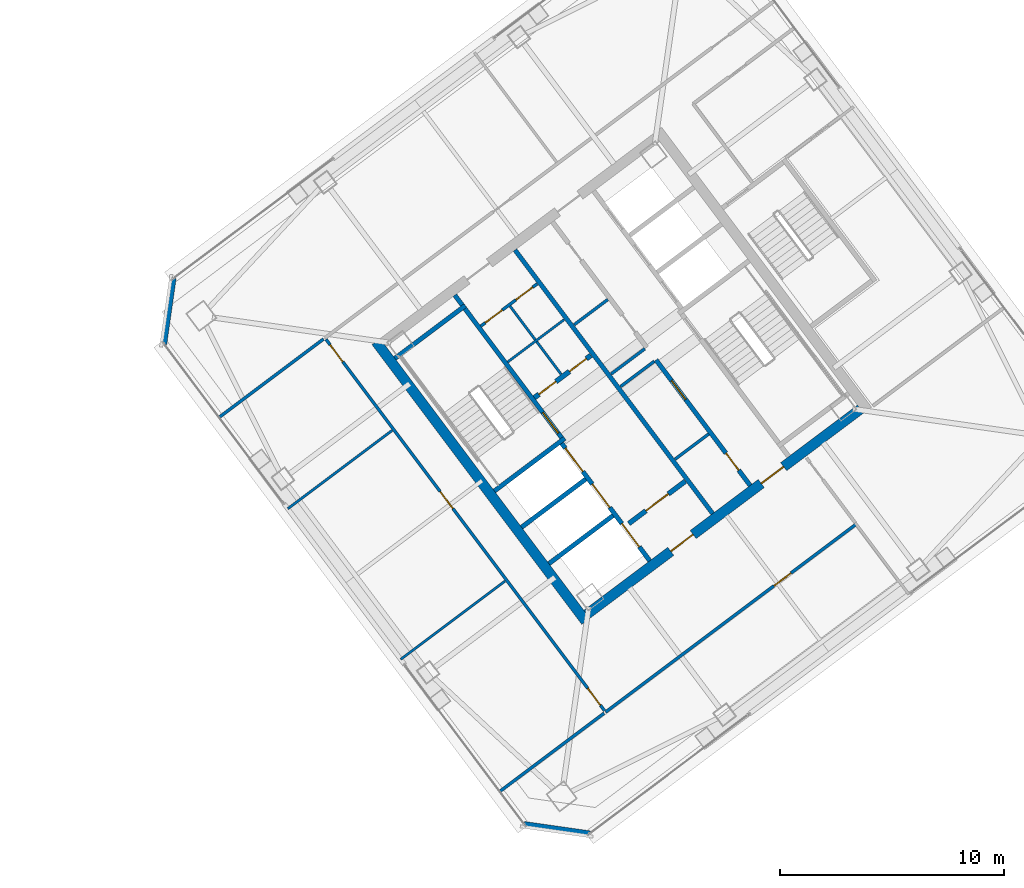
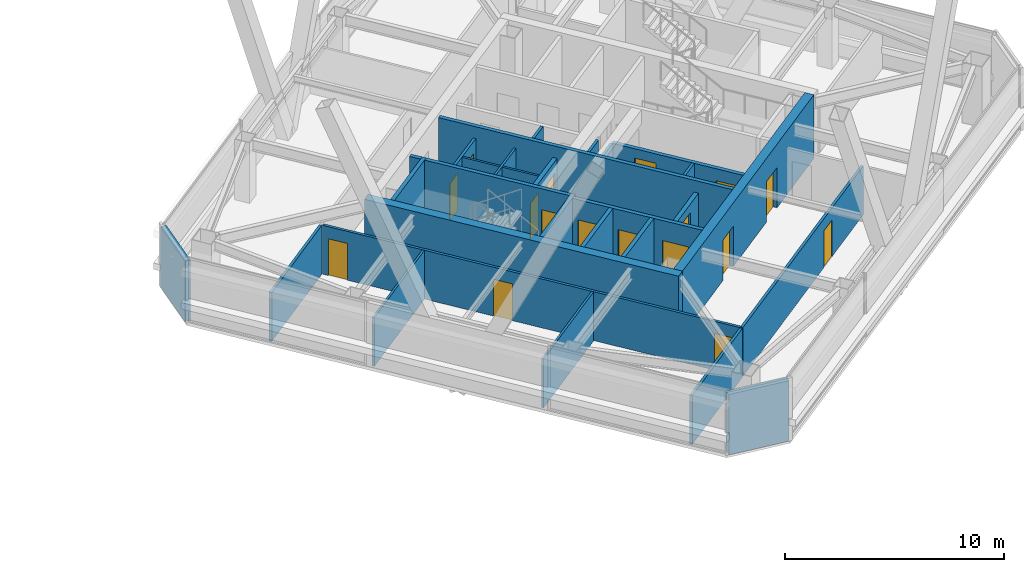
# One storey, part 39 of 47: 27 walls, 17 doors, 17 openings.
"""IFC4 building model written with IfcOpenShell, lengths in metres."""

from ifc_helpers import new_model, si_unit, direction, frame, frame_2d, origin, place, context, subcontext, project, spatial, rectangle, extrude, material, layer, layer_set, type_object, element, fill, save


model = new_model("IFC4")

# Units and contexts
model_context = context("Model", 3, precision=1e-05, world=origin(), true_north=direction((0.0, 1.0)))
body_context = subcontext(model_context, "Body", "Model", "MODEL_VIEW")
ifc_project = project(units=[si_unit("LENGTHUNIT", "METRE"), si_unit("AREAUNIT", "SQUARE_METRE"), si_unit("VOLUMEUNIT", "CUBIC_METRE"), si_unit("PLANEANGLEUNIT", "RADIAN"), si_unit("MASSUNIT", "GRAM", prefix="KILO")], contexts=[model_context])

# Site, building, storey
site_placement = place(None, origin())
site = spatial("IfcSite", under=ifc_project, at=site_placement, CompositionType="ELEMENT")
building_placement = place(site_placement, origin())
building = spatial("IfcBuilding", under=site, at=building_placement, Name="Tashvorn Skyway Center", CompositionType="ELEMENT")
storey_placement = place(building_placement, frame((0.0, 0.0, 204.199951171875)))
storey = spatial("IfcBuildingStorey", under=building, at=storey_placement, Name="L55", CompositionType="ELEMENT", Elevation=204.199951171875)

# Wall
ifc_material_1 = material(Name="Concrete C50/60", Category="concrete")
ifc_layer_1 = layer(ifc_material_1, 0.449951171875)
ifc_layer_set_1 = layer_set([ifc_layer_1], Name="Concrete C50/60")
wall_type_1 = type_object("IfcWallType", Name="WALL-CORE-450", PredefinedType="SHEAR", material=ifc_layer_set_1)
wall_1_placement = place(storey_placement, frame((112.39599609375, 21.047119140625, 0.0), z_axis=(0.0, 0.0, 1.0), x_axis=(-0.600005007985, 0.799996243986, 0.0)))
element("IfcWall", 1, at=wall_1_placement, inside=storey, type_object=wall_type_1, Name="Tower 2 L55 West Core Shear Wall", PredefinedType="SHEAR", context=body_context, shape_type="SweptSolid", body=[
    extrude(rectangle(XDim=15.60009765625, YDim=0.449951171875, at=frame_2d((7.800048828125, 0.0))), origin(), (0.0, 0.0, 1.0), 3.550048828125),
])

# Wall, openings, doors
wall_2_placement = place(storey_placement, frame((124.64892578125, 30.51806640625, 0.0), z_axis=(0.0, 0.0, 1.0), x_axis=(-0.8, -0.6, 0.0)))
wall_2 = element("IfcWall", 2, at=wall_2_placement, inside=storey, type_object=wall_type_1, Name="Tower 2 L55 South Core Shear Wall", PredefinedType="SHEAR", context=body_context, shape_type="SweptSolid", body=[
    extrude(rectangle(XDim=15.260009765625, YDim=0.449951171875, at=frame_2d((7.6298828125, 0.0))), origin(), (0.0, 0.0, 1.0), 3.550048828125),
])
opening_1_placement = place(wall_2_placement, frame((9.330078125, 0.0, 0.0)))
opening_1 = element("IfcOpeningElement", 3, at=opening_1_placement, cuts=wall_2, Name="Opening D-FFL-1250", PredefinedType="OPENING", context=body_context, shape_type="SweptSolid", body=[
    extrude(rectangle(XDim=1.25, YDim=2.25, at=frame_2d((0.625, 1.125))), frame((0.0, 0.23486328125, 0.0), z_axis=(0.0, -1.0, 0.0), x_axis=(1.0, 0.0, 0.0)), (0.0, 0.0, 1.0), 0.469970703125),
])
opening_2_placement = place(wall_2_placement, frame((4.280029296875, 0.0, 0.0)))
opening_2 = element("IfcOpeningElement", 4, at=opening_2_placement, cuts=wall_2, Name="Opening D-FFL-1250", PredefinedType="OPENING", context=body_context, shape_type="SweptSolid", body=[
    extrude(rectangle(XDim=1.25, YDim=2.25, at=frame_2d((0.625, 1.125))), frame((0.0, 0.23486328125, 0.0), z_axis=(0.0, -1.0, 0.0), x_axis=(1.0, 0.0, 0.0)), (0.0, 0.0, 1.0), 0.469970703125),
])
ifc_material_2 = material(Name="Hollow galvanized steel fire door assembly", Category="steel")
door_type_1 = type_object("IfcDoorType", Name="DOOR-FFL-1250", OperationType="NOTDEFINED", PredefinedType="DOOR", material=ifc_material_2)
door_1_placement = place(opening_1_placement, origin())
door_1 = element("IfcDoor", 5, at=door_1_placement, inside=storey, type_object=door_type_1, Name="Tower 2 L55 Core South Firefighting Exit Door", OperationType="SINGLE_SWING_LEFT", OverallHeight=2.25, OverallWidth=1.25, PredefinedType="DOOR", context=body_context, shape_type="SweptSolid", body=[
    extrude(rectangle(XDim=1.25, YDim=2.25, at=frame_2d((0.625, 1.125))), frame((0.0, 0.02490234375, 0.0), z_axis=(0.0, -1.0, 0.0), x_axis=(1.0, 0.0, 0.0)), (0.0, 0.0, 1.0), 0.050048828125),
])
fill(opening_1, door_1)
door_2_placement = place(opening_2_placement, origin())
door_2 = element("IfcDoor", 6, at=door_2_placement, inside=storey, type_object=door_type_1, Name="Tower 2 L55 Core South Lift Lobby Door", OperationType="SINGLE_SWING_RIGHT", OverallHeight=2.25, OverallWidth=1.25, PredefinedType="DOOR", context=body_context, shape_type="SweptSolid", body=[
    extrude(rectangle(XDim=1.25, YDim=2.25, at=frame_2d((0.625, 1.125))), frame((0.0, 0.02490234375, 0.0), z_axis=(0.0, -1.0, 0.0), x_axis=(1.0, 0.0, 0.0)), (0.0, 0.0, 1.0), 0.050048828125),
])
fill(opening_2, door_2)

# Walls
ifc_material_3 = material(Name="Precast concrete C40/50", Category="concrete")
ifc_layer_2 = layer(ifc_material_3, 0.280029296875)
ifc_layer_set_2 = layer_set([ifc_layer_2], Name="Precast concrete C40/50")
wall_type_2 = type_object("IfcWallType", Name="WALL-EXT-280", PredefinedType="SOLIDWALL", material=ifc_layer_set_2)
for number, where, z_axis, x_axis, name in (
    (7, (112.580078125, 11.56005859375, 0.0), (0.0, 0.0, 1.0), (-0.989954425158, 0.14138683146, 0.0), "Tower 2 L55 SW Precast Chamfer Wall"),
    (8, (93.56005859375, 33.419921875, 0.0), (0.0, 0.0, 1.0), (0.14138683146, 0.989954425158, 0.0), "Tower 2 L55 NW Precast Chamfer Wall"),
):
    element("IfcWall", number, at=place(storey_placement, frame(where, z_axis=z_axis, x_axis=x_axis)), inside=storey, type_object=wall_type_2, Name=name, PredefinedType="SOLIDWALL", context=body_context, shape_type="SweptSolid", body=[
        extrude(rectangle(XDim=2.969970703125, YDim=0.280029296875, at=frame_2d((1.48486328125, 0.0))), origin(), (0.0, 0.0, 1.0), 3.3701171875),
    ])

# Wall, openings, doors
ifc_material_4 = material(Name="Concrete C40/50", Category="concrete")
ifc_layer_3 = layer(ifc_material_4, 0.219970703125)
ifc_layer_set_3 = layer_set([ifc_layer_3], Name="Concrete C40/50")
wall_type_3 = type_object("IfcWallType", Name="WALL-FFL-220", PredefinedType="SOLIDWALL", material=ifc_layer_set_3)
wall_3_placement = place(storey_placement, frame((110.10400390625, 31.028076171875, 0.0), z_axis=(0.0, 0.0, 1.0), x_axis=(0.800018601094, 0.59997519774, 0.0)))
wall_3 = element("IfcWall", 9, at=wall_3_placement, inside=storey, type_object=wall_type_3, Name="Tower 2 L55 Firefighting Lobby North Wall", PredefinedType="SOLIDWALL", context=body_context, shape_type="SweptSolid", body=[
    extrude(rectangle(XDim=3.14990234375, YDim=0.219970703125, at=frame_2d((1.574951171875, 0.0))), origin(), (0.0, 0.0, 1.0), 2.72314453125),
])
opening_3_placement = place(wall_3_placement, frame((0.25, 0.0, 0.0)))
opening_3 = element("IfcOpeningElement", 10, at=opening_3_placement, cuts=wall_3, Name="Opening D-RT-950", PredefinedType="OPENING", context=body_context, shape_type="SweptSolid", body=[
    extrude(rectangle(XDim=0.949951171875, YDim=2.050048828125, at=frame_2d((0.47509765625, 1.02490234375))), frame((0.0, 0.119873046875, 0.0), z_axis=(0.0, -1.0, 0.0), x_axis=(1.0, 0.0, 0.0)), (0.0, 0.0, 1.0), 0.239990234375),
])
opening_4_placement = place(wall_3_placement, frame((1.949951171875, 0.0, 0.0)))
opening_4 = element("IfcOpeningElement", 11, at=opening_4_placement, cuts=wall_3, Name="Opening D-RT-950", PredefinedType="OPENING", context=body_context, shape_type="SweptSolid", body=[
    extrude(rectangle(XDim=0.949951171875, YDim=2.050048828125, at=frame_2d((0.47509765625, 1.02490234375))), frame((0.0, 0.119873046875, 0.0), z_axis=(0.0, -1.0, 0.0), x_axis=(1.0, 0.0, 0.0)), (0.0, 0.0, 1.0), 0.239990234375),
])
door_type_2 = type_object("IfcDoorType", Name="DOOR-RATED-950", OperationType="NOTDEFINED", PredefinedType="DOOR", material=ifc_material_2)
door_3_placement = place(opening_3_placement, origin())
door_3 = element("IfcDoor", 12, at=door_3_placement, inside=storey, type_object=door_type_2, Name="Tower 2 L55 Core Mail Room Door", OperationType="SINGLE_SWING_LEFT", OverallHeight=2.050048828125, OverallWidth=0.949951171875, PredefinedType="DOOR", context=body_context, shape_type="SweptSolid", body=[
    extrude(rectangle(XDim=0.949951171875, YDim=2.050048828125, at=frame_2d((0.47509765625, 1.02490234375))), frame((0.0, 0.02490234375, 0.0), z_axis=(0.0, -1.0, 0.0), x_axis=(1.0, 0.0, 0.0)), (0.0, 0.0, 1.0), 0.050048828125),
])
fill(opening_3, door_3)
door_4_placement = place(opening_4_placement, origin())
door_4 = element("IfcDoor", 13, at=door_4_placement, inside=storey, type_object=door_type_2, Name="Tower 2 L55 Core Supply Closet Door", OperationType="SINGLE_SWING_RIGHT", OverallHeight=2.050048828125, OverallWidth=0.949951171875, PredefinedType="DOOR", context=body_context, shape_type="SweptSolid", body=[
    extrude(rectangle(XDim=0.949951171875, YDim=2.050048828125, at=frame_2d((0.47509765625, 1.02490234375))), frame((0.0, 0.02490234375, 0.0), z_axis=(0.0, -1.0, 0.0), x_axis=(1.0, 0.0, 0.0)), (0.0, 0.0, 1.0), 0.050048828125),
])
fill(opening_4, door_4)

# Wall, opening, door
wall_4_placement = place(storey_placement, frame((114.31591796875, 25.412109375, 0.0), z_axis=(0.0, 0.0, 1.0), x_axis=(0.800018601094, 0.59997519774, 0.0)))
wall_4 = element("IfcWall", 14, at=wall_4_placement, inside=storey, type_object=wall_type_3, Name="Tower 2 L55 Firefighting Lobby South Wall", PredefinedType="SOLIDWALL", context=body_context, shape_type="SweptSolid", body=[
    extrude(rectangle(XDim=3.14990234375, YDim=0.219970703125, at=frame_2d((1.574951171875, 0.0))), origin(), (0.0, 0.0, 1.0), 2.72314453125),
])
opening_5_placement = place(wall_4_placement, frame((0.949951171875, 0.0, 0.0)))
opening_5 = element("IfcOpeningElement", 15, at=opening_5_placement, cuts=wall_4, Name="Opening D-FFL-1250", PredefinedType="OPENING", context=body_context, shape_type="SweptSolid", body=[
    extrude(rectangle(XDim=1.25, YDim=2.25, at=frame_2d((0.625, 1.125))), frame((0.0, 0.119873046875, 0.0), z_axis=(0.0, -1.0, 0.0), x_axis=(1.0, 0.0, 0.0)), (0.0, 0.0, 1.0), 0.239990234375),
])
door_5_placement = place(opening_5_placement, origin())
door_5 = element("IfcDoor", 16, at=door_5_placement, inside=storey, type_object=door_type_1, Name="Tower 2 L55 Firefighting Lobby Egress Door", OperationType="SINGLE_SWING_LEFT", OverallHeight=2.25, OverallWidth=1.25, PredefinedType="DOOR", context=body_context, shape_type="SweptSolid", body=[
    extrude(rectangle(XDim=1.25, YDim=2.25, at=frame_2d((0.625, 1.125))), frame((0.0, 0.02490234375, 0.0), z_axis=(0.0, -1.0, 0.0), x_axis=(1.0, 0.0, 0.0)), (0.0, 0.0, 1.0), 0.050048828125),
])
fill(opening_5, door_5)

# Walls
ifc_material_5 = material(Name="Gypsum board on cold-formed steel stud framing", Category="steel")
ifc_layer_4 = layer(ifc_material_5, 0.110107421875)
ifc_layer_set_4 = layer_set([ifc_layer_4], Name="Gypsum board on cold-formed steel stud framing")
wall_type_4 = type_object("IfcWallType", Name="WALL-PART-110", PredefinedType="PARTITIONING", material=ifc_layer_set_4)
for number, where, z_axis, x_axis, name in (
    (17, (104.135986328125, 19.35205078125, 0.0), (0.0, 0.0, 1.0), (0.800005033825, 0.599993288175, 0.0), "Tower 2 L55 West Suite Partition 1"),
    (18, (99.095947265625, 26.072021484375, 0.0), (0.0, 0.0, 1.0), (0.800005033825, 0.599993288175, 0.0), "Tower 2 L55 West Suite Partition 2"),
):
    element("IfcWall", number, at=place(storey_placement, frame(where, z_axis=z_axis, x_axis=x_axis)), inside=storey, type_object=wall_type_4, Name=name, PredefinedType="PARTITIONING", context=body_context, shape_type="SweptSolid", body=[
        extrude(rectangle(XDim=5.820068359375, YDim=0.110107421875, at=frame_2d((2.91015625, 0.0))), origin(), (0.0, 0.0, 1.0), 2.72314453125),
    ])

# Wall, opening, door
ifc_layer_5 = layer(ifc_material_5, 0.135009765625)
ifc_layer_set_5 = layer_set([ifc_layer_5], Name="Gypsum board on cold-formed steel stud framing")
wall_type_5 = type_object("IfcWallType", Name="WALL-PART-135", PredefinedType="PARTITIONING", material=ifc_layer_set_5)
wall_5_placement = place(storey_placement, frame((124.4619140625, 25.384033203125, 0.0), z_axis=(0.0, 0.0, 1.0), x_axis=(-0.799997904343, -0.6000027942, 0.0)))
wall_5 = element("IfcWall", 19, at=wall_5_placement, inside=storey, type_object=wall_type_5, Name="Tower 2 L55 South Suite Wall", PredefinedType="PARTITIONING", context=body_context, shape_type="SweptSolid", body=[
    extrude(rectangle(XDim=13.979736328125, YDim=0.135009765625, at=frame_2d((6.98974609375, 0.0))), origin(), (0.0, 0.0, 1.0), 2.72314453125),
])
opening_6_placement = place(wall_5_placement, frame((3.63525390625, 0.0, 0.0)))
opening_6 = element("IfcOpeningElement", 20, at=opening_6_placement, cuts=wall_5, Name="Opening D-INT-950", PredefinedType="OPENING", context=body_context, shape_type="SweptSolid", body=[
    extrude(rectangle(XDim=0.949951171875, YDim=2.050048828125, at=frame_2d((0.47509765625, 1.02490234375))), frame((0.0, 0.077392578125, 0.0), z_axis=(0.0, -1.0, 0.0), x_axis=(1.0, 0.0, 0.0)), (0.0, 0.0, 1.0), 0.155029296875),
])
ifc_material_6 = material(Name="Solid-core architectural oak veneer door")
door_type_3 = type_object("IfcDoorType", Name="DOOR-INT-950", OperationType="NOTDEFINED", PredefinedType="DOOR", material=ifc_material_6)
door_6_placement = place(opening_6_placement, origin())
door_6 = element("IfcDoor", 21, at=door_6_placement, inside=storey, type_object=door_type_3, Name="Tower 2 L55 Wellness Clinic Door", OperationType="SINGLE_SWING_LEFT", OverallHeight=2.050048828125, OverallWidth=0.949951171875, PredefinedType="DOOR", context=body_context, shape_type="SweptSolid", body=[
    extrude(rectangle(XDim=0.949951171875, YDim=2.050048828125, at=frame_2d((0.47509765625, 1.02490234375))), frame((0.0, 0.02490234375, 0.0), z_axis=(0.0, -1.0, 0.0), x_axis=(1.0, 0.0, 0.0)), (0.0, 0.0, 1.0), 0.050048828125),
])
fill(opening_6, door_6)

# Wall, openings, doors
wall_6_placement = place(storey_placement, frame((113.22998046875, 17.06005859375, 0.0), z_axis=(0.0, 0.0, 1.0), x_axis=(-0.600003772342, 0.79999717073, 0.0)))
wall_6 = element("IfcWall", 22, at=wall_6_placement, inside=storey, type_object=wall_type_5, Name="Tower 2 L55 West Inner Suite Wall", PredefinedType="PARTITIONING", context=body_context, shape_type="SweptSolid", body=[
    extrude(rectangle(XDim=20.7099609375, YDim=0.135009765625, at=frame_2d((10.35498046875, 0.0))), origin(), (0.0, 0.0, 1.0), 2.72314453125),
])
opening_7_placement = place(wall_6_placement, frame((0.300048828125, 0.0, 0.0)))
opening_7 = element("IfcOpeningElement", 23, at=opening_7_placement, cuts=wall_6, Name="Opening D-INT-950", PredefinedType="OPENING", context=body_context, shape_type="SweptSolid", body=[
    extrude(rectangle(XDim=0.949951171875, YDim=2.050048828125, at=frame_2d((0.47509765625, 1.02490234375))), frame((0.0, 0.077392578125, 0.0), z_axis=(0.0, -1.0, 0.0), x_axis=(1.0, 0.0, 0.0)), (0.0, 0.0, 1.0), 0.155029296875),
])
opening_8_placement = place(wall_6_placement, frame((11.272216796875, 0.0, 0.0)))
opening_8 = element("IfcOpeningElement", 24, at=opening_8_placement, cuts=wall_6, Name="Opening D-INT-950", PredefinedType="OPENING", context=body_context, shape_type="SweptSolid", body=[
    extrude(rectangle(XDim=0.949951171875, YDim=2.050048828125, at=frame_2d((0.47509765625, 1.02490234375))), frame((0.0, 0.077392578125, 0.0), z_axis=(0.0, -1.0, 0.0), x_axis=(1.0, 0.0, 0.0)), (0.0, 0.0, 1.0), 0.155029296875),
])
opening_9_placement = place(wall_6_placement, frame((19.4599609375, 0.0, 0.0)))
opening_9 = element("IfcOpeningElement", 25, at=opening_9_placement, cuts=wall_6, Name="Opening D-INT-950", PredefinedType="OPENING", context=body_context, shape_type="SweptSolid", body=[
    extrude(rectangle(XDim=0.949951171875, YDim=2.050048828125, at=frame_2d((0.47509765625, 1.02490234375))), frame((0.0, 0.077392578125, 0.0), z_axis=(0.0, -1.0, 0.0), x_axis=(1.0, 0.0, 0.0)), (0.0, 0.0, 1.0), 0.155029296875),
])
door_7_placement = place(opening_7_placement, origin())
door_7 = element("IfcDoor", 26, at=door_7_placement, inside=storey, type_object=door_type_3, Name="Tower 2 L55 Public Restroom Door", OperationType="SINGLE_SWING_LEFT", OverallHeight=2.050048828125, OverallWidth=0.949951171875, PredefinedType="DOOR", context=body_context, shape_type="SweptSolid", body=[
    extrude(rectangle(XDim=0.949951171875, YDim=2.050048828125, at=frame_2d((0.47509765625, 1.02490234375))), frame((0.0, 0.02490234375, 0.0), z_axis=(0.0, -1.0, 0.0), x_axis=(1.0, 0.0, 0.0)), (0.0, 0.0, 1.0), 0.050048828125),
])
fill(opening_7, door_7)
door_8_placement = place(opening_8_placement, origin())
door_8 = element("IfcDoor", 27, at=door_8_placement, inside=storey, type_object=door_type_3, Name="Tower 2 L55 Wellness Clinic Door", OperationType="SINGLE_SWING_RIGHT", OverallHeight=2.050048828125, OverallWidth=0.949951171875, PredefinedType="DOOR", context=body_context, shape_type="SweptSolid", body=[
    extrude(rectangle(XDim=0.949951171875, YDim=2.050048828125, at=frame_2d((0.47509765625, 1.02490234375))), frame((0.0, 0.02490234375, 0.0), z_axis=(0.0, -1.0, 0.0), x_axis=(1.0, 0.0, 0.0)), (0.0, 0.0, 1.0), 0.050048828125),
])
fill(opening_8, door_8)
door_9_placement = place(opening_9_placement, origin())
door_9 = element("IfcDoor", 28, at=door_9_placement, inside=storey, type_object=door_type_3, Name="Tower 2 L55 Collaborative Studio Door", OperationType="SINGLE_SWING_LEFT", OverallHeight=2.050048828125, OverallWidth=0.949951171875, PredefinedType="DOOR", context=body_context, shape_type="SweptSolid", body=[
    extrude(rectangle(XDim=0.949951171875, YDim=2.050048828125, at=frame_2d((0.47509765625, 1.02490234375))), frame((0.0, 0.02490234375, 0.0), z_axis=(0.0, -1.0, 0.0), x_axis=(1.0, 0.0, 0.0)), (0.0, 0.0, 1.0), 0.050048828125),
])
fill(opening_9, door_9)

# Walls
for number, where, z_axis, x_axis, name in (
    (29, (100.69189453125, 33.64404296875, 0.0), (0.0, 0.0, 1.0), (-0.800005033825, -0.599993288175, 0.0), "Tower 2 L55 West Suite North Wall"),
    (30, (108.55810546875, 13.4560546875, 0.0), (0.0, 0.0, 1.0), (0.800005033825, 0.599993288175, 0.0), "Tower 2 L55 West Suite South Wall"),
):
    element("IfcWall", number, at=place(storey_placement, frame(where, z_axis=z_axis, x_axis=x_axis)), inside=storey, type_object=wall_type_5, Name=name, PredefinedType="PARTITIONING", context=body_context, shape_type="SweptSolid", body=[
        extrude(rectangle(XDim=5.820068359375, YDim=0.135009765625, at=frame_2d((2.91015625, 0.0))), origin(), (0.0, 0.0, 1.0), 2.72314453125),
    ])
ifc_layer_6 = layer(ifc_material_5, 0.110107421875)
ifc_layer_set_6 = layer_set([ifc_layer_6], Name="Gypsum board on cold-formed steel stud framing")
wall_type_6 = type_object("IfcWallType", Name="WALL-RATED-110", PredefinedType="PARTITIONING", material=ifc_layer_set_6)
wall_7_placement = place(storey_placement, frame((111.2958984375, 32.072021484375, 0.0), z_axis=(0.0, 0.0, 1.0), x_axis=(-0.59995887973, 0.800030838552, 0.0)))
element("IfcWall", 31, at=wall_7_placement, inside=storey, type_object=wall_type_6, Name="Tower 2 L55 Core Cross Vertical", PredefinedType="PARTITIONING", context=body_context, shape_type="SweptSolid", body=[
    extrude(rectangle(XDim=3.7998046875, YDim=0.110107421875, at=frame_2d((1.89990234375, 0.0))), origin(), (0.0, 0.0, 1.0), 2.72314453125),
])
wall_8_placement = place(storey_placement, frame((108.909912109375, 32.6201171875, 0.0), z_axis=(0.0, 0.0, 1.0), x_axis=(0.800018601094, 0.59997519774, 0.0)))
element("IfcWall", 32, at=wall_8_placement, inside=storey, type_object=wall_type_6, Name="Tower 2 L55 Core Cross Horizontal", PredefinedType="PARTITIONING", context=body_context, shape_type="SweptSolid", body=[
    extrude(rectangle(XDim=3.14990234375, YDim=0.110107421875, at=frame_2d((1.574951171875, 0.0))), origin(), (0.0, 0.0, 1.0), 2.72314453125),
])

# Wall, openings, doors
ifc_layer_7 = layer(ifc_material_5, 0.135009765625)
ifc_layer_set_7 = layer_set([ifc_layer_7], Name="Gypsum board on cold-formed steel stud framing")
wall_type_7 = type_object("IfcWallType", Name="WALL-RATED-135", PredefinedType="PARTITIONING", material=ifc_layer_set_7)
wall_9_placement = place(storey_placement, frame((107.7099609375, 34.219970703125, 0.0), z_axis=(0.0, 0.0, 1.0), x_axis=(0.799981399002, 0.60002480053, 0.0)))
wall_9 = element("IfcWall", 33, at=wall_9_placement, inside=storey, type_object=wall_type_7, Name="Tower 2 L55 Core Service Lobby Wall", PredefinedType="PARTITIONING", context=body_context, shape_type="SweptSolid", body=[
    extrude(rectangle(XDim=3.150146484375, YDim=0.135009765625, at=frame_2d((1.5751953125, 0.0))), origin(), (0.0, 0.0, 1.0), 2.72314453125),
])
opening_10_placement = place(wall_9_placement, frame((0.25, 0.0, 0.0)))
opening_10 = element("IfcOpeningElement", 34, at=opening_10_placement, cuts=wall_9, Name="Opening D-RT-950", PredefinedType="OPENING", context=body_context, shape_type="SweptSolid", body=[
    extrude(rectangle(XDim=0.949951171875, YDim=2.050048828125, at=frame_2d((0.47509765625, 1.02490234375))), frame((0.0, 0.077392578125, 0.0), z_axis=(0.0, -1.0, 0.0), x_axis=(1.0, 0.0, 0.0)), (0.0, 0.0, 1.0), 0.155029296875),
])
opening_11_placement = place(wall_9_placement, frame((1.949951171875, 0.0, 0.0)))
opening_11 = element("IfcOpeningElement", 35, at=opening_11_placement, cuts=wall_9, Name="Opening D-RT-950", PredefinedType="OPENING", context=body_context, shape_type="SweptSolid", body=[
    extrude(rectangle(XDim=0.949951171875, YDim=2.050048828125, at=frame_2d((0.47509765625, 1.02490234375))), frame((0.0, 0.077392578125, 0.0), z_axis=(0.0, -1.0, 0.0), x_axis=(1.0, 0.0, 0.0)), (0.0, 0.0, 1.0), 0.155029296875),
])
door_10_placement = place(opening_10_placement, origin())
door_10 = element("IfcDoor", 36, at=door_10_placement, inside=storey, type_object=door_type_2, Name="Tower 2 L55 Core Cleaner Store Door", OperationType="SINGLE_SWING_LEFT", OverallHeight=2.050048828125, OverallWidth=0.949951171875, PredefinedType="DOOR", context=body_context, shape_type="SweptSolid", body=[
    extrude(rectangle(XDim=0.949951171875, YDim=2.050048828125, at=frame_2d((0.47509765625, 1.02490234375))), frame((0.0, 0.02490234375, 0.0), z_axis=(0.0, -1.0, 0.0), x_axis=(1.0, 0.0, 0.0)), (0.0, 0.0, 1.0), 0.050048828125),
])
fill(opening_10, door_10)
door_11_placement = place(opening_11_placement, origin())
door_11 = element("IfcDoor", 37, at=door_11_placement, inside=storey, type_object=door_type_2, Name="Tower 2 L55 Core Accessible WC Door", OperationType="SINGLE_SWING_RIGHT", OverallHeight=2.050048828125, OverallWidth=0.949951171875, PredefinedType="DOOR", context=body_context, shape_type="SweptSolid", body=[
    extrude(rectangle(XDim=0.949951171875, YDim=2.050048828125, at=frame_2d((0.47509765625, 1.02490234375))), frame((0.0, 0.02490234375, 0.0), z_axis=(0.0, -1.0, 0.0), x_axis=(1.0, 0.0, 0.0)), (0.0, 0.0, 1.0), 0.050048828125),
])
fill(opening_11, door_11)

# Walls
for number, where, z_axis, x_axis, name in (
    (38, (113.946044921875, 31.52197265625, 0.0), (0.0, 0.0, 1.0), (0.8, 0.6, 0.0), "Tower 2 L55 Core Room Partition"),
    (39, (116.3759765625, 28.281982421875, 0.0), (0.0, 0.0, 1.0), (0.8, 0.6, 0.0), "Tower 2 L55 Freed Core Partition"),
):
    element("IfcWall", number, at=place(storey_placement, frame(where, z_axis=z_axis, x_axis=x_axis)), inside=storey, type_object=wall_type_7, Name=name, PredefinedType="PARTITIONING", context=body_context, shape_type="SweptSolid", body=[
        extrude(rectangle(XDim=1.8798828125, YDim=0.135009765625, at=frame_2d((0.93994140625, 0.0))), origin(), (0.0, 0.0, 1.0), 2.72314453125),
    ])
wall_10_placement = place(storey_placement, frame((113.52587890625, 32.08203125, 0.0), z_axis=(0.0, 0.0, 1.0), x_axis=(0.800046745961, 0.599937666993, 0.0)))
element("IfcWall", 40, at=wall_10_placement, inside=storey, type_object=wall_type_7, Name="Tower 2 L55 Core Room Partition", PredefinedType="PARTITIONING", context=body_context, shape_type="SweptSolid", body=[
    extrude(rectangle(XDim=1.880126953125, YDim=0.135009765625, at=frame_2d((0.93994140625, 0.0))), origin(), (0.0, 0.0, 1.0), 2.72314453125),
])
wall_11_placement = place(storey_placement, frame((111.8759765625, 34.281982421875, 0.0), z_axis=(0.0, 0.0, 1.0), x_axis=(0.8, 0.6, 0.0)))
element("IfcWall", 41, at=wall_11_placement, inside=storey, type_object=wall_type_7, Name="Tower 2 L55 Freed Mid-Rise Partition", PredefinedType="PARTITIONING", context=body_context, shape_type="SweptSolid", body=[
    extrude(rectangle(XDim=1.8798828125, YDim=0.135009765625, at=frame_2d((0.93994140625, 0.0))), origin(), (0.0, 0.0, 1.0), 2.72314453125),
])
ifc_layer_8 = layer(ifc_material_4, 0.199951171875)
ifc_layer_set_8 = layer_set([ifc_layer_8], Name="Concrete C40/50")
wall_type_8 = type_object("IfcWallType", Name="WALL-SHAFT-200", PredefinedType="SOLIDWALL", material=ifc_layer_set_8)
for number, where, z_axis, x_axis, name in (
    (42, (110.74609375, 23.6220703125, 0.0), (0.0, 0.0, 1.0), (0.800008183455, 0.599989088572, 0.0), "Tower 2 L55 FSAE Shaft Divider"),
    (43, (109.528076171875, 25.24609375, 0.0), (0.0, 0.0, 1.0), (0.800008183455, 0.599989088572, 0.0), "Tower 2 L55 FSAE Shaft Divider"),
):
    element("IfcWall", number, at=place(storey_placement, frame(where, z_axis=z_axis, x_axis=x_axis)), inside=storey, type_object=wall_type_8, Name=name, PredefinedType="SOLIDWALL", context=body_context, shape_type="SweptSolid", body=[
        extrude(rectangle(XDim=3.580078125, YDim=0.199951171875, at=frame_2d((1.7900390625, 0.0))), origin(), (0.0, 0.0, 1.0), 3.3701171875),
    ])

# Wall, openings, doors
wall_12_placement = place(storey_placement, frame((119.72998046875, 27.110107421875, 0.0), z_axis=(0.0, 0.0, 1.0), x_axis=(-0.600005580459, 0.799995814625, 0.0)))
wall_12 = element("IfcWall", 44, at=wall_12_placement, inside=storey, type_object=wall_type_8, Name="Tower 2 L55 Low-Rise Core Wall", PredefinedType="SOLIDWALL", context=body_context, shape_type="SweptSolid", body=[
    extrude(rectangle(XDim=6.999755859375, YDim=0.199951171875, at=frame_2d((3.5, 0.0))), origin(), (0.0, 0.0, 1.0), 2.72314453125),
])
opening_12_placement = place(wall_12_placement, frame((0.85009765625, 0.0, 0.0)))
opening_12 = element("IfcOpeningElement", 45, at=opening_12_placement, cuts=wall_12, Name="Opening D-RT-950", PredefinedType="OPENING", context=body_context, shape_type="SweptSolid", body=[
    extrude(rectangle(XDim=0.949951171875, YDim=2.050048828125, at=frame_2d((0.47509765625, 1.02490234375))), frame((0.0, 0.10986328125, 0.0), z_axis=(0.0, -1.0, 0.0), x_axis=(1.0, 0.0, 0.0)), (0.0, 0.0, 1.0), 0.219970703125),
])
opening_13_placement = place(wall_12_placement, frame((4.800048828125, 0.0, 0.0)))
opening_13 = element("IfcOpeningElement", 46, at=opening_13_placement, cuts=wall_12, Name="Opening D-RT-1050", PredefinedType="OPENING", context=body_context, shape_type="SweptSolid", body=[
    extrude(rectangle(XDim=1.050048828125, YDim=2.199951171875, at=frame_2d((0.52490234375, 1.10009765625))), frame((0.0, 0.10986328125, 0.0), z_axis=(0.0, -1.0, 0.0), x_axis=(1.0, 0.0, 0.0)), (0.0, 0.0, 1.0), 0.219970703125),
])
door_type_4 = type_object("IfcDoorType", Name="DOOR-RATED-1050", OperationType="NOTDEFINED", PredefinedType="DOOR", material=ifc_material_2)
door_12_placement = place(opening_13_placement, origin())
door_12 = element("IfcDoor", 47, at=door_12_placement, inside=storey, type_object=door_type_4, Name="Tower 2 L55 Freed Core Room Door", OperationType="SINGLE_SWING_RIGHT", OverallHeight=2.199951171875, OverallWidth=1.050048828125, PredefinedType="DOOR", context=body_context, shape_type="SweptSolid", body=[
    extrude(rectangle(XDim=1.050048828125, YDim=2.199951171875, at=frame_2d((0.52490234375, 1.10009765625))), frame((0.0, 0.02490234375, 0.0), z_axis=(0.0, -1.0, 0.0), x_axis=(1.0, 0.0, 0.0)), (0.0, 0.0, 1.0), 0.050048828125),
])
fill(opening_13, door_12)
door_13_placement = place(opening_12_placement, origin())
door_13 = element("IfcDoor", 48, at=door_13_placement, inside=storey, type_object=door_type_2, Name="Tower 2 L55 Core Print Room Door", OperationType="SINGLE_SWING_LEFT", OverallHeight=2.050048828125, OverallWidth=0.949951171875, PredefinedType="DOOR", context=body_context, shape_type="SweptSolid", body=[
    extrude(rectangle(XDim=0.949951171875, YDim=2.050048828125, at=frame_2d((0.47509765625, 1.02490234375))), frame((0.0, 0.02490234375, 0.0), z_axis=(0.0, -1.0, 0.0), x_axis=(1.0, 0.0, 0.0)), (0.0, 0.0, 1.0), 0.050048828125),
])
fill(opening_12, door_13)

# Wall, opening, door
ifc_layer_9 = layer(ifc_material_4, 0.199951171875)
ifc_layer_set_9 = layer_set([ifc_layer_9], Name="Concrete C40/50")
wall_type_9 = type_object("IfcWallType", Name="WALL-STSHF-200", PredefinedType="SHEAR", material=ifc_layer_set_9)
wall_13_placement = place(storey_placement, frame((111.43994140625, 29.080078125, 0.0), z_axis=(0.0, 0.0, 1.0), x_axis=(-0.59999041401, 0.800007189403, 0.0)))
wall_13 = element("IfcWall", 49, at=wall_13_placement, inside=storey, type_object=wall_type_9, Name="Tower 2 L55 Stair 1 Enclosure Wall", PredefinedType="SHEAR", context=body_context, shape_type="SweptSolid", body=[
    extrude(rectangle(XDim=8.14990234375, YDim=0.199951171875, at=frame_2d((4.074951171875, 0.0))), origin(), (0.0, 0.0, 1.0), 3.3701171875),
])
opening_14_placement = place(wall_13_placement, frame((0.449951171875, 0.0, 0.0)))
opening_14 = element("IfcOpeningElement", 50, at=opening_14_placement, cuts=wall_13, Name="Opening D-ST-1150", PredefinedType="OPENING", context=body_context, shape_type="SweptSolid", body=[
    extrude(rectangle(XDim=1.14990234375, YDim=2.199951171875, at=frame_2d((0.574951171875, 1.10009765625))), frame((0.0, 0.10986328125, 0.0), z_axis=(0.0, -1.0, 0.0), x_axis=(1.0, 0.0, 0.0)), (0.0, 0.0, 1.0), 0.219970703125),
])
door_type_5 = type_object("IfcDoorType", Name="DOOR-STAIR-1150", OperationType="NOTDEFINED", PredefinedType="DOOR", material=ifc_material_2)
door_14_placement = place(opening_14_placement, origin())
door_14 = element("IfcDoor", 51, at=door_14_placement, inside=storey, type_object=door_type_5, Name="Tower 2 L55 Exit Stair 1 Door", OperationType="SINGLE_SWING_RIGHT", OverallHeight=2.199951171875, OverallWidth=1.14990234375, PredefinedType="DOOR", context=body_context, shape_type="SweptSolid", body=[
    extrude(rectangle(XDim=1.14990234375, YDim=2.199951171875, at=frame_2d((0.574951171875, 1.10009765625))), frame((0.0, 0.02490234375, 0.0), z_axis=(0.0, -1.0, 0.0), x_axis=(1.0, 0.0, 0.0)), (0.0, 0.0, 1.0), 0.050048828125),
])
fill(opening_14, door_14)

# Walls
for number, where, z_axis, x_axis, name in (
    (52, (108.31591796875, 26.862060546875, 0.0), (0.0, 0.0, 1.0), (0.800014909178, 0.599980120581, 0.0), "Tower 2 L55 Stair 1 South Wall"),
    (53, (103.8759765625, 32.781982421875, 0.0), (0.0, 0.0, 1.0), (0.800014909178, 0.599980120581, 0.0), "Tower 2 L55 Stair 1 North Wall"),
):
    element("IfcWall", number, at=place(storey_placement, frame(where, z_axis=z_axis, x_axis=x_axis)), inside=storey, type_object=wall_type_9, Name=name, PredefinedType="SHEAR", context=body_context, shape_type="SweptSolid", body=[
        extrude(rectangle(XDim=3.929931640625, YDim=0.199951171875, at=frame_2d((1.96484375, 0.0))), origin(), (0.0, 0.0, 1.0), 3.3701171875),
    ])
wall_14_placement = place(storey_placement, frame((118.05810546875, 25.85595703125, 0.0), z_axis=(0.0, 0.0, 1.0), x_axis=(-0.600002657301, 0.799998007018, 0.0)))
element("IfcWall", 54, at=wall_14_placement, inside=storey, type_object=wall_type_9, Name="Tower 2 L55 Firefighting Lobby East Smoke Barrier", PredefinedType="SHEAR", context=body_context, shape_type="SweptSolid", body=[
    extrude(rectangle(XDim=14.699951171875, YDim=0.199951171875, at=frame_2d((7.35009765625, 0.0))), origin(), (0.0, 0.0, 1.0), 3.3701171875),
])

# Wall, openings, doors
wall_15_placement = place(storey_placement, frame((115.25, 23.75, 0.0), z_axis=(0.0, 0.0, 1.0), x_axis=(-0.599994036198, 0.800004472816, 0.0)))
wall_15 = element("IfcWall", 55, at=wall_15_placement, inside=storey, type_object=wall_type_9, Name="Tower 2 L55 FSAE and Goods Shaft Front Wall", PredefinedType="SHEAR", context=body_context, shape_type="SweptSolid", body=[
    extrude(rectangle(XDim=6.550048828125, YDim=0.199951171875, at=frame_2d((3.27490234375, 0.0))), origin(), (0.0, 0.0, 1.0), 3.3701171875),
])
opening_15_placement = place(wall_15_placement, frame((4.97509765625, 0.0, 0.0)))
opening_15 = element("IfcOpeningElement", 56, at=opening_15_placement, cuts=wall_15, Name="Opening LD-FF-T2-1-L55", PredefinedType="OPENING", context=body_context, shape_type="SweptSolid", body=[
    extrude(rectangle(XDim=1.300048828125, YDim=2.25, at=frame_2d((0.64990234375, 1.125))), frame((0.0, 0.10986328125, 0.0), z_axis=(0.0, -1.0, 0.0), x_axis=(1.0, 0.0, 0.0)), (0.0, 0.0, 1.0), 0.219970703125),
])
opening_16_placement = place(wall_15_placement, frame((2.97509765625, 0.0, 0.0)))
opening_16 = element("IfcOpeningElement", 57, at=opening_16_placement, cuts=wall_15, Name="Opening LD-FF-T2-2-L55", PredefinedType="OPENING", context=body_context, shape_type="SweptSolid", body=[
    extrude(rectangle(XDim=1.300048828125, YDim=2.25, at=frame_2d((0.64990234375, 1.125))), frame((0.0, 0.10986328125, 0.0), z_axis=(0.0, -1.0, 0.0), x_axis=(1.0, 0.0, 0.0)), (0.0, 0.0, 1.0), 0.219970703125),
])
opening_17_placement = place(wall_15_placement, frame((0.77490234375, 0.0, 0.0)))
opening_17 = element("IfcOpeningElement", 58, at=opening_17_placement, cuts=wall_15, Name="Opening LD-GD-T2-1-L55", PredefinedType="OPENING", context=body_context, shape_type="SweptSolid", body=[
    extrude(rectangle(XDim=1.300048828125, YDim=2.25, at=frame_2d((0.64990234375, 1.125))), frame((0.0, 0.10986328125, 0.0), z_axis=(0.0, -1.0, 0.0), x_axis=(1.0, 0.0, 0.0)), (0.0, 0.0, 1.0), 0.219970703125),
])
ifc_material_7 = material(Name="Stainless steel heavy-duty landing door", Category="steel")
door_type_6 = type_object("IfcDoorType", Name="DOOR-LIFT-1300", OperationType="SLIDING_TO_LEFT", PredefinedType="DOOR", material=ifc_material_7)
door_15_placement = place(opening_15_placement, origin())
door_15 = element("IfcDoor", 59, at=door_15_placement, inside=storey, type_object=door_type_6, Name="Lift FF-T2-1 L55 Landing Door", OperationType="SLIDING_TO_LEFT", OverallHeight=2.25, OverallWidth=1.300048828125, PredefinedType="DOOR", context=body_context, shape_type="SweptSolid", body=[
    extrude(rectangle(XDim=1.300048828125, YDim=2.25, at=frame_2d((0.64990234375, 1.125))), frame((0.0, 0.02490234375, 0.0), z_axis=(0.0, -1.0, 0.0), x_axis=(1.0, 0.0, 0.0)), (0.0, 0.0, 1.0), 0.050048828125),
])
fill(opening_15, door_15)
door_16_placement = place(opening_16_placement, origin())
door_16 = element("IfcDoor", 60, at=door_16_placement, inside=storey, type_object=door_type_6, Name="Lift FF-T2-2 L55 Landing Door", OperationType="SLIDING_TO_LEFT", OverallHeight=2.25, OverallWidth=1.300048828125, PredefinedType="DOOR", context=body_context, shape_type="SweptSolid", body=[
    extrude(rectangle(XDim=1.300048828125, YDim=2.25, at=frame_2d((0.64990234375, 1.125))), frame((0.0, 0.02490234375, 0.0), z_axis=(0.0, -1.0, 0.0), x_axis=(1.0, 0.0, 0.0)), (0.0, 0.0, 1.0), 0.050048828125),
])
fill(opening_16, door_16)
door_17_placement = place(opening_17_placement, origin())
door_17 = element("IfcDoor", 61, at=door_17_placement, inside=storey, type_object=door_type_6, Name="Lift GD-T2-1 L55 Landing Door", OperationType="SLIDING_TO_LEFT", OverallHeight=2.25, OverallWidth=1.300048828125, PredefinedType="DOOR", context=body_context, shape_type="SweptSolid", body=[
    extrude(rectangle(XDim=1.300048828125, YDim=2.25, at=frame_2d((0.64990234375, 1.125))), frame((0.0, 0.02490234375, 0.0), z_axis=(0.0, -1.0, 0.0), x_axis=(1.0, 0.0, 0.0)), (0.0, 0.0, 1.0), 0.050048828125),
])
fill(opening_17, door_17)

save(model, "model.ifc")
